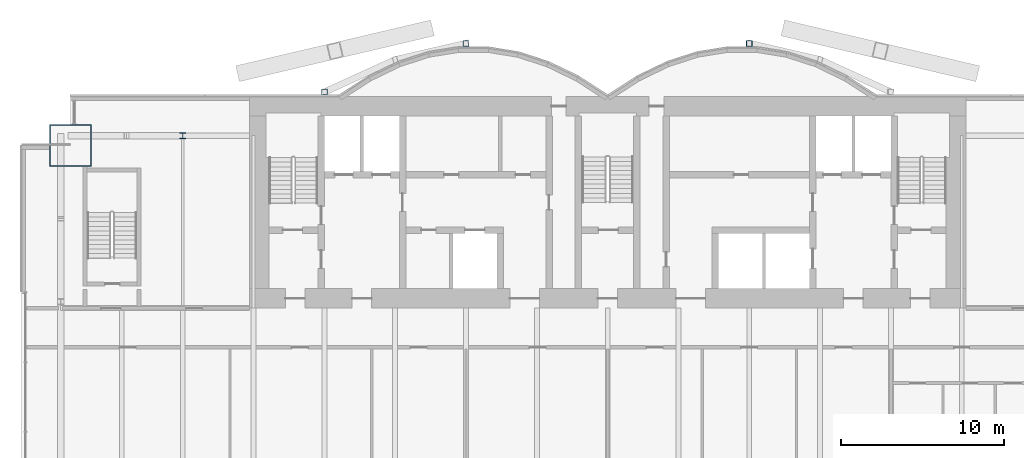
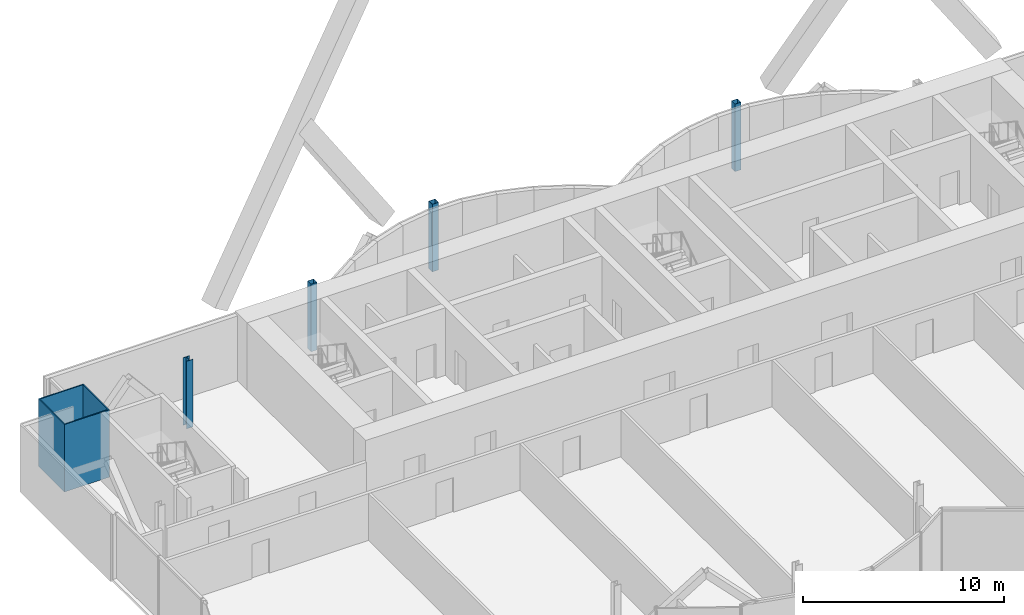
# One storey, part 3 of 22: 5 columns.
"""IFC4 building model written with IfcOpenShell, lengths in metres."""

from ifc_helpers import new_model, si_unit, direction, frame, origin, origin_2d, place, context, subcontext, project, spatial, hollow_rectangle, i_section, extrude, material, material_profile, profile_set, type_object, element, save


model = new_model("IFC4")

# Units and contexts
model_context = context("Model", 3, precision=1e-05, world=origin(), true_north=direction((0.0, 1.0)))
body_context = subcontext(model_context, "Body", "Model", "MODEL_VIEW")
ifc_project = project(units=[si_unit("LENGTHUNIT", "METRE"), si_unit("AREAUNIT", "SQUARE_METRE"), si_unit("VOLUMEUNIT", "CUBIC_METRE"), si_unit("PLANEANGLEUNIT", "RADIAN"), si_unit("MASSUNIT", "GRAM", prefix="KILO")], contexts=[model_context])

# Site, building, storey
site_placement = place(None, origin())
site = spatial("IfcSite", under=ifc_project, at=site_placement, CompositionType="ELEMENT")
building_placement = place(site_placement, origin())
building = spatial("IfcBuilding", under=site, at=building_placement, Name="Bicima Exchange Tower", CompositionType="ELEMENT")
storey_placement = place(building_placement, frame((0.0, 0.0, 203.199951171875)))
storey = spatial("IfcBuildingStorey", under=building, at=storey_placement, Name="L45", CompositionType="ELEMENT", Elevation=203.199951171875)

# Columns
ifc_material_1 = material(Name="Steel ASTM A572 Gr 50", Category="steel")
ifc_material_profile_1 = material_profile(ifc_material_1, hollow_rectangle(XDim=2.60009765625, YDim=2.60009765625, WallThickness=0.070068359375, at=origin_2d()))
ifc_profile_set_1 = profile_set([ifc_material_profile_1], Name="Steel ASTM A572 Gr 50")
column_type_1 = type_object("IfcColumnType", Name="Mega column BOX 2600x2600x70", PredefinedType="COLUMN", material=ifc_profile_set_1)
column_1_placement = place(storey_placement, frame((-33.0, -3.0, 0.0), z_axis=(0.0, 0.0, 1.0), x_axis=(1.0, 0.0, 0.0)))
element("IfcColumn", 1, at=column_1_placement, inside=storey, type_object=column_type_1, Name="Mega column mega-33.0r", PredefinedType="COLUMN", context=body_context, shape_type="SweptSolid", body=[
    extrude(hollow_rectangle(XDim=2.60009765625, YDim=2.60009765625, WallThickness=0.070068359375, at=origin_2d()), origin(), (0.0, 0.0, 1.0), 4.10009765625),
])
ifc_material_2 = material(Name="Steel ASTM A992 Gr 50", Category="steel")
ifc_material_profile_2 = material_profile(ifc_material_2, i_section(OverallWidth=0.373291015625, OverallDepth=0.373291015625, WebThickness=0.016357421875, FlangeThickness=0.026123046875, at=origin_2d()))
ifc_profile_set_2 = profile_set([ifc_material_profile_2], Name="Steel ASTM A992 Gr 50")
column_type_2 = type_object("IfcColumnType", Name="Perimeter column W14x132", PredefinedType="COLUMN", material=ifc_profile_set_2)
column_2_placement = place(storey_placement, frame((-26.10009765625, -2.39990234375, 0.0), z_axis=(0.0, 0.0, 1.0), x_axis=(1.0, 0.0, 0.0)))
element("IfcColumn", 2, at=column_2_placement, inside=storey, type_object=column_type_2, Name="Perimeter column grav-26.1r", PredefinedType="COLUMN", context=body_context, shape_type="SweptSolid", body=[
    extrude(i_section(OverallWidth=0.373291015625, OverallDepth=0.373291015625, WebThickness=0.016357421875, FlangeThickness=0.026123046875, at=origin_2d()), origin(), (0.0, 0.0, 1.0), 4.10009765625),
])
ifc_material_profile_3 = material_profile(ifc_material_1, hollow_rectangle(XDim=0.355712890625, YDim=0.355712890625, WallThickness=0.01171875, at=origin_2d()))
ifc_profile_set_3 = profile_set([ifc_material_profile_3], Name="Steel ASTM A572 Gr 50")
column_type_3 = type_object("IfcColumnType", Name="Rear pilaster HSS14x14x1/2", PredefinedType="COLUMN", material=ifc_profile_set_3)
for number, where, z_axis, x_axis, name in (
    (3, (-8.699951171875, 3.26904296875, 0.0), (0.0, 0.0, 1.0), (1.0, 0.0, 0.0), "Rear pilaster rexo-8.7r"),
    (4, (-17.39990234375, 0.278076171875, 0.0), (0.0, 0.0, 1.0), (1.0, 0.0, 0.0), "Rear pilaster rexo-17.4r"),
    (5, (8.699951171875, 3.26904296875, 0.0), (0.0, 0.0, 1.0), (1.0, 0.0, 0.0), "Rear pilaster rexo+8.7r"),
):
    element("IfcColumn", number, at=place(storey_placement, frame(where, z_axis=z_axis, x_axis=x_axis)), inside=storey, type_object=column_type_3, Name=name, PredefinedType="COLUMN", context=body_context, shape_type="SweptSolid", body=[
        extrude(hollow_rectangle(XDim=0.355712890625, YDim=0.355712890625, WallThickness=0.01171875, at=origin_2d()), origin(), (0.0, 0.0, 1.0), 4.10009765625),
    ])

save(model, "model.ifc")
